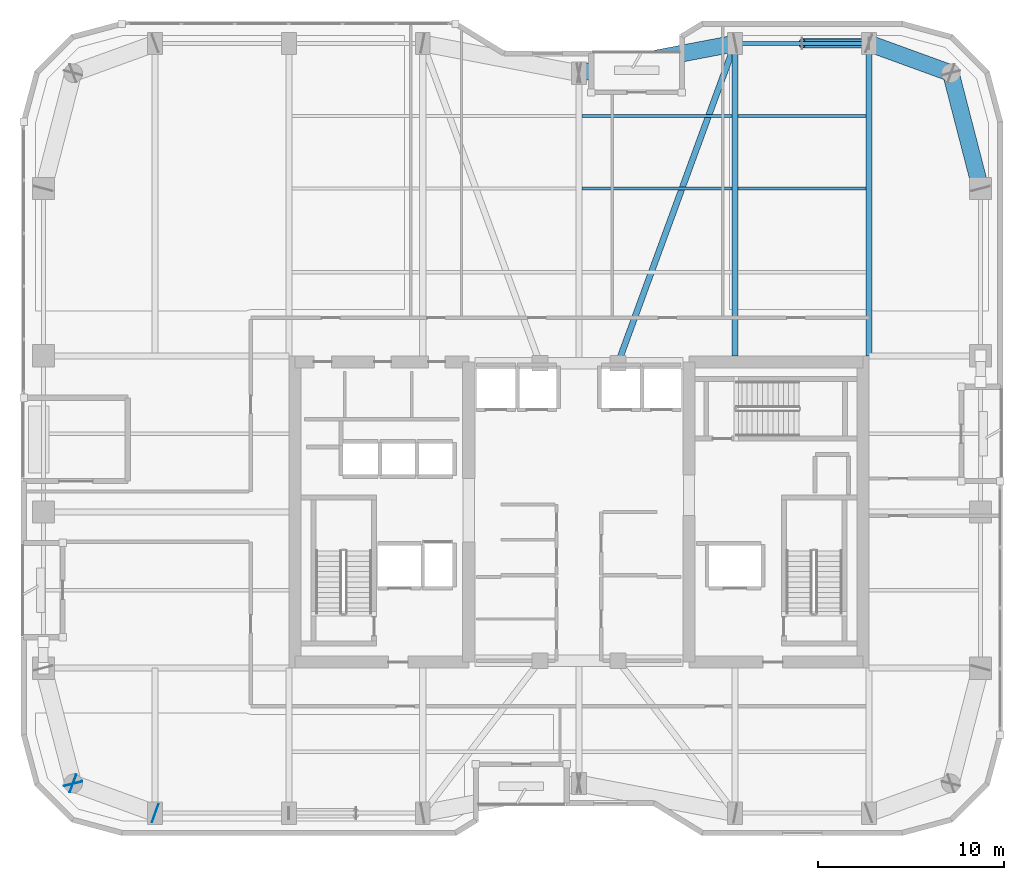
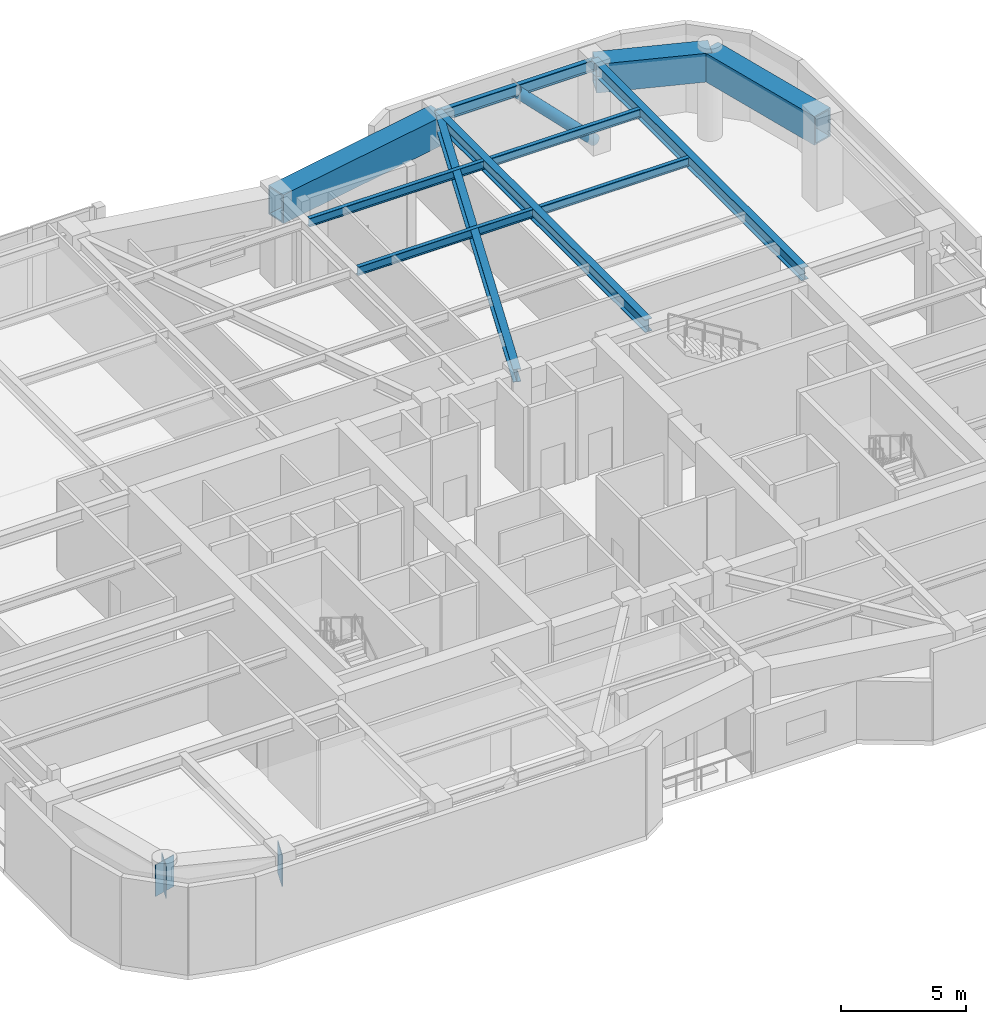
# One storey, part 11 of 21: 11 beams, 3 plates, 1 member.
"""IFC4 building model written with IfcOpenShell, lengths in metres."""

from ifc_helpers import new_model, si_unit, direction, frame, origin, origin_2d, place, context, subcontext, project, spatial, rectangle, hollow_rectangle, hollow_circle, i_section, extrude, material, layer, layer_set, material_profile, profile_set, type_object, element, save


model = new_model("IFC4")

# Units and contexts
model_context = context("Model", 3, precision=1e-05, world=origin(), true_north=direction((0.0, 1.0)))
body_context = subcontext(model_context, "Body", "Model", "MODEL_VIEW")
ifc_project = project(units=[si_unit("LENGTHUNIT", "METRE"), si_unit("AREAUNIT", "SQUARE_METRE"), si_unit("VOLUMEUNIT", "CUBIC_METRE"), si_unit("PLANEANGLEUNIT", "RADIAN"), si_unit("MASSUNIT", "GRAM", prefix="KILO")], contexts=[model_context])

# Site, building, storey
site_placement = place(None, origin())
site = spatial("IfcSite", under=ifc_project, at=site_placement, CompositionType="ELEMENT")
building_placement = place(site_placement, origin())
building = spatial("IfcBuilding", under=site, at=building_placement, Name="Kiyonajd Concourse Tower", CompositionType="ELEMENT")
storey_placement = place(building_placement, frame((0.0, 0.0, 181.800048828125)))
storey = spatial("IfcBuildingStorey", under=building, at=storey_placement, Name="L46", CompositionType="ELEMENT", Elevation=181.800048828125)

# Beams
ifc_material_1 = material(Name="Steel ASTM A992 Grade 50", Category="steel")
ifc_material_profile_1 = material_profile(ifc_material_1, i_section(OverallWidth=0.180908203125, OverallDepth=0.4169921875, WebThickness=0.010986328125, FlangeThickness=0.018310546875, at=origin_2d()), Name="W410X85")
ifc_profile_set_1 = profile_set([ifc_material_profile_1], Name="Steel ASTM A992 Grade 50")
beam_type_1 = type_object("IfcBeamType", Name="BM-JST-410", PredefinedType="JOIST", material=ifc_profile_set_1)
beam_1_placement = place(storey_placement, frame((48.16357421875, 53.39990234375, 4.071533203125), z_axis=(1.0, 0.0, 0.0), x_axis=(0.0, 1.0, 0.0)))
element("IfcBeam", 1, at=beam_1_placement, inside=storey, type_object=beam_type_1, Name="L46 Secondary Floor Joist", PredefinedType="JOIST", context=body_context, shape_type="SweptSolid", body=[
    extrude(i_section(OverallWidth=0.180908203125, OverallDepth=0.4169921875, WebThickness=0.010986328125, FlangeThickness=0.018310546875, at=origin_2d()), origin(), (0.0, 0.0, 1.0), 8.072998046875),
])
beam_2_placement = place(storey_placement, frame((56.5634765625, 53.39990234375, 4.071533203125), z_axis=(1.0, 0.0, 0.0), x_axis=(0.0, 1.0, 0.0)))
element("IfcBeam", 2, at=beam_2_placement, inside=storey, type_object=beam_type_1, Name="L46 Secondary Floor Joist", PredefinedType="JOIST", context=body_context, shape_type="SweptSolid", body=[
    extrude(i_section(OverallWidth=0.180908203125, OverallDepth=0.4169921875, WebThickness=0.010986328125, FlangeThickness=0.018310546875, at=origin_2d()), origin(), (0.0, 0.0, 1.0), 6.873046875),
])
beam_3_placement = place(storey_placement, frame((48.16357421875, 57.300048828125, 4.071533203125), z_axis=(1.0, 0.0, 0.0), x_axis=(0.0, 1.0, 0.0)))
element("IfcBeam", 3, at=beam_3_placement, inside=storey, type_object=beam_type_1, Name="L46 Secondary Floor Joist", PredefinedType="JOIST", context=body_context, shape_type="SweptSolid", body=[
    extrude(i_section(OverallWidth=0.180908203125, OverallDepth=0.4169921875, WebThickness=0.010986328125, FlangeThickness=0.018310546875, at=origin_2d()), origin(), (0.0, 0.0, 1.0), 8.072998046875),
])
beam_4_placement = place(storey_placement, frame((56.5634765625, 57.300048828125, 4.071533203125), z_axis=(1.0, 0.0, 0.0), x_axis=(0.0, 1.0, 0.0)))
element("IfcBeam", 4, at=beam_4_placement, inside=storey, type_object=beam_type_1, Name="L46 Secondary Floor Joist", PredefinedType="JOIST", context=body_context, shape_type="SweptSolid", body=[
    extrude(i_section(OverallWidth=0.180908203125, OverallDepth=0.4169921875, WebThickness=0.010986328125, FlangeThickness=0.018310546875, at=origin_2d()), origin(), (0.0, 0.0, 1.0), 6.873046875),
])
ifc_material_profile_2 = material_profile(ifc_material_1, i_section(OverallWidth=0.214111328125, OverallDepth=0.549072265625, WebThickness=0.0146484375, FlangeThickness=0.023681640625, at=origin_2d()), Name="W530X138")
ifc_profile_set_2 = profile_set([ifc_material_profile_2], Name="Steel ASTM A992 Grade 50")
beam_type_2 = type_object("IfcBeamType", Name="BM-SPAN-530A", PredefinedType="SPANDREL", material=ifc_profile_set_2)
beam_5_placement = place(storey_placement, frame((63.60009765625, 61.199951171875, 4.00537109375), z_axis=(-1.0, 0.0, 0.0), x_axis=(0.0, -1.0, 0.0)))
element("IfcBeam", 5, at=beam_5_placement, inside=storey, type_object=beam_type_2, Name="L46 Perimeter Bundled Tube Spandrel", PredefinedType="SPANDREL", context=body_context, shape_type="SweptSolid", body=[
    extrude(i_section(OverallWidth=0.214111328125, OverallDepth=0.549072265625, WebThickness=0.0146484375, FlangeThickness=0.023681640625, at=origin_2d()), origin(), (0.0, 0.0, 1.0), 7.2001953125),
])
ifc_material_profile_3 = material_profile(ifc_material_1, i_section(OverallWidth=0.326904296875, OverallDepth=0.6220703125, WebThickness=0.015380859375, FlangeThickness=0.0244140625, at=origin_2d()), Name="W610X195")
ifc_profile_set_3 = profile_set([ifc_material_profile_3], Name="Steel ASTM A992 Grade 50")
beam_type_3 = type_object("IfcBeamType", Name="BM-TWR-610A", PredefinedType="BEAM", material=ifc_profile_set_3)
beam_6_placement = place(storey_placement, frame((50.10009765625, 44.0, 3.968994140625), z_axis=(0.343925269715, 0.938997022813, 0.0), x_axis=(-0.938997022813, 0.343925269715, 0.0)))
element("IfcBeam", 6, at=beam_6_placement, inside=storey, type_object=beam_type_3, Name="L46 Core Tie Girder", PredefinedType="BEAM", context=body_context, shape_type="SweptSolid", body=[
    extrude(i_section(OverallWidth=0.326904296875, OverallDepth=0.6220703125, WebThickness=0.015380859375, FlangeThickness=0.0244140625, at=origin_2d()), origin(), (0.0, 0.0, 1.0), 18.3173828125),
])
for number, where, z_axis, x_axis, name in (
    (7, (56.39990234375, 44.39990234375, 3.968994140625), (0.0, 1.0, 0.0), (-1.0, 0.0, 0.0), "L46 North Lease Girder"),
    (8, (63.60009765625, 44.39990234375, 3.968994140625), (0.0, 1.0, 0.0), (-1.0, 0.0, 0.0), "L46 North Lease Girder"),
):
    element("IfcBeam", number, at=place(storey_placement, frame(where, z_axis=z_axis, x_axis=x_axis)), inside=storey, type_object=beam_type_3, Name=name, PredefinedType="BEAM", context=body_context, shape_type="SweptSolid", body=[
        extrude(i_section(OverallWidth=0.326904296875, OverallDepth=0.6220703125, WebThickness=0.015380859375, FlangeThickness=0.0244140625, at=origin_2d()), origin(), (0.0, 0.0, 1.0), 16.800048828125),
    ])
ifc_material_2 = material(Name="Steel ASTM A572 Grade 50", Category="steel")
ifc_material_profile_4 = material_profile(ifc_material_2, hollow_rectangle(XDim=0.89990234375, YDim=1.39990234375, WallThickness=0.070068359375, at=origin_2d()), Name="BOX-1400x900x70")
ifc_profile_set_4 = profile_set([ifc_material_profile_4], Name="Steel ASTM A572 Grade 50")
beam_type_4 = type_object("IfcBeamType", Name="BM-XFER-1400", PredefinedType="BEAM", material=ifc_profile_set_4)
beam_7_placement = place(storey_placement, frame((69.60009765625, 53.39990234375, 3.579833984375), z_axis=(-0.249884937687, 0.968275538221, 0.0), x_axis=(-0.968275538221, -0.249884937687, 0.0)))
element("IfcBeam", 9, at=beam_7_placement, inside=storey, type_object=beam_type_4, Name="L46 Perimeter Bundled Tube Spandrel", PredefinedType="BEAM", context=body_context, shape_type="SweptSolid", body=[
    extrude(hollow_rectangle(XDim=0.89990234375, YDim=1.39990234375, WallThickness=0.070068359375, at=origin_2d()), origin(), (0.0, 0.0, 1.0), 6.4033203125),
])
beam_8_placement = place(storey_placement, frame((68.0, 59.60009765625, 3.579833984375), z_axis=(-0.939801036019, 0.341722127901, 0.0), x_axis=(-0.341722127901, -0.939801036019, 0.0)))
element("IfcBeam", 10, at=beam_8_placement, inside=storey, type_object=beam_type_4, Name="L46 Perimeter Bundled Tube Spandrel", PredefinedType="BEAM", context=body_context, shape_type="SweptSolid", body=[
    extrude(hollow_rectangle(XDim=0.89990234375, YDim=1.39990234375, WallThickness=0.070068359375, at=origin_2d()), origin(), (0.0, 0.0, 1.0), 4.681640625),
])
beam_9_placement = place(storey_placement, frame((56.39990234375, 61.199951171875, 3.579833984375), z_axis=(-0.982341315253, -0.187097675953, 0.0), x_axis=(0.187097675953, -0.982341315253, 0.0)))
element("IfcBeam", 11, at=beam_9_placement, inside=storey, type_object=beam_type_4, Name="L46 Perimeter Bundled Tube Spandrel", PredefinedType="BEAM", context=body_context, shape_type="SweptSolid", body=[
    extrude(hollow_rectangle(XDim=0.89990234375, YDim=1.39990234375, WallThickness=0.070068359375, at=origin_2d()), origin(), (0.0, 0.0, 1.0), 8.55078125),
])

# Member
ifc_material_3 = material(Name="Steel ASTM A500 Grade C", Category="steel")
ifc_material_profile_5 = material_profile(ifc_material_3, hollow_circle(Radius=0.25390625, WallThickness=0.02197265625, at=origin_2d()), Name="CHS-508x22")
ifc_profile_set_5 = profile_set([ifc_material_profile_5], Name="Steel ASTM A500 Grade C")
member_type = type_object("IfcMemberType", Name="MB-PB-MID", PredefinedType="BRACE", material=ifc_profile_set_5)
member_placement = place(storey_placement, frame((63.60009765625, 61.199951171875, 0.300048828125), z_axis=(-0.704187756773, 0.0, 0.710013804944), x_axis=(0.0, -1.0, 0.0)))
element("IfcMember", 12, at=member_placement, inside=storey, type_object=member_type, Name="L46 Upper Zone Hollow Tube Brace PBN", PredefinedType="BRACE", context=body_context, shape_type="SweptSolid", body=[
    extrude(hollow_circle(Radius=0.25390625, WallThickness=0.02197265625, at=origin_2d()), origin(), (0.0, 0.0, 1.0), 5.1123046875),
])

# Plates
ifc_layer = layer(ifc_material_2, 0.031982421875)
ifc_layer_set = layer_set([ifc_layer], Name="Steel ASTM A572 Grade 50")
plate_type = type_object("IfcPlateType", Name="PL-CAP-540", PredefinedType="USERDEFINED", material=ifc_layer_set)
for number, where, z_axis, x_axis, name in (
    (13, (20.802734375, 21.389404296875, 2.809814453125), (0.0, 0.0, 1.0), (0.249873048837, -0.968278606324, 0.0), "L46 Welded Box Girder End Cap"),
    (14, (20.789794921875, 21.40380859375, 2.809814453125), (0.0, 0.0, 1.0), (-0.939811951086, 0.341692107891, 0.0), "L46 Welded Box Girder End Cap"),
    (15, (25.210205078125, 19.796142578125, 2.809814453125), (0.0, 0.0, 1.0), (0.939811951086, -0.341692107891, 0.0), "L46 Welded Box Girder End Cap"),
):
    element("IfcPlate", number, at=place(storey_placement, frame(where, z_axis=z_axis, x_axis=x_axis)), inside=storey, type_object=plate_type, Name=name, ObjectType="CAP PLATE", PredefinedType="USERDEFINED", context=body_context, shape_type="SweptSolid", body=[
        extrude(rectangle(XDim=0.035888671875, YDim=1.02001953125, at=origin_2d()), origin(), (0.0, 0.0, 1.0), 1.5400390625),
    ])

save(model, "model.ifc")
